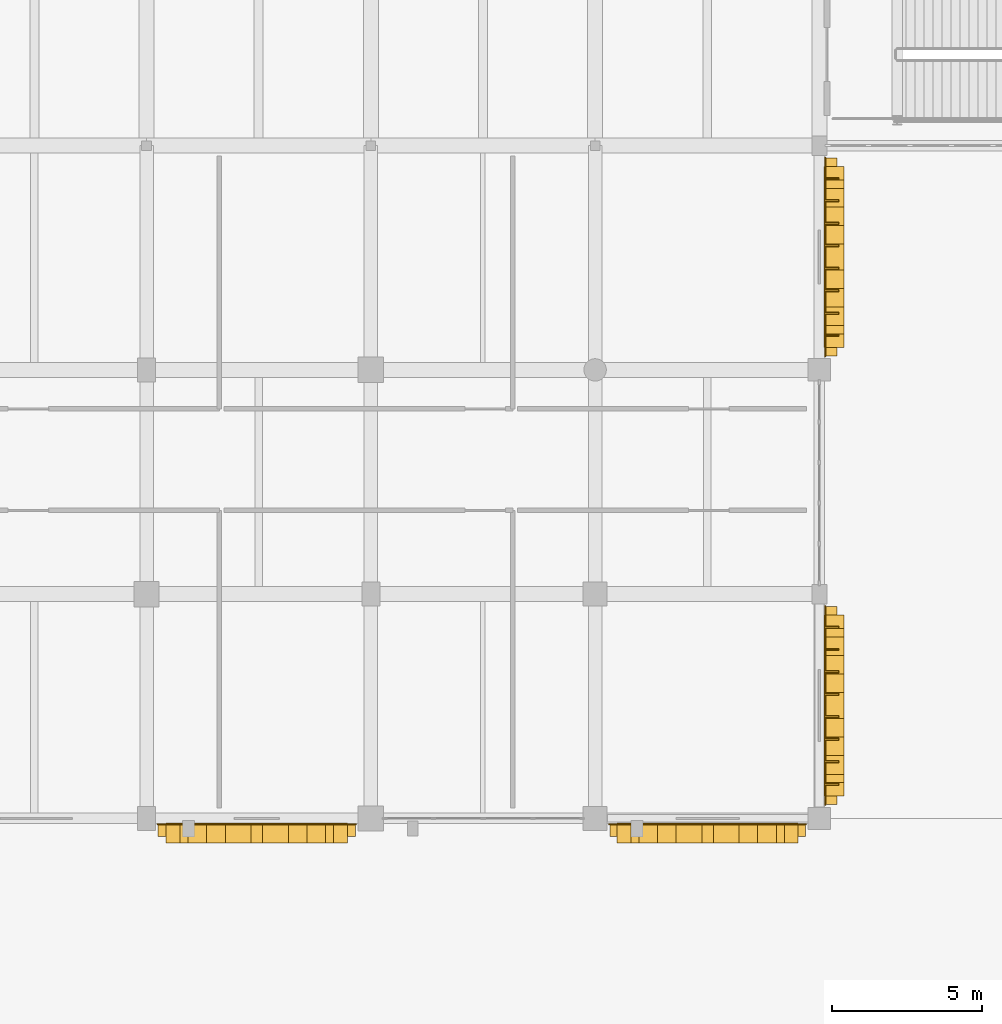
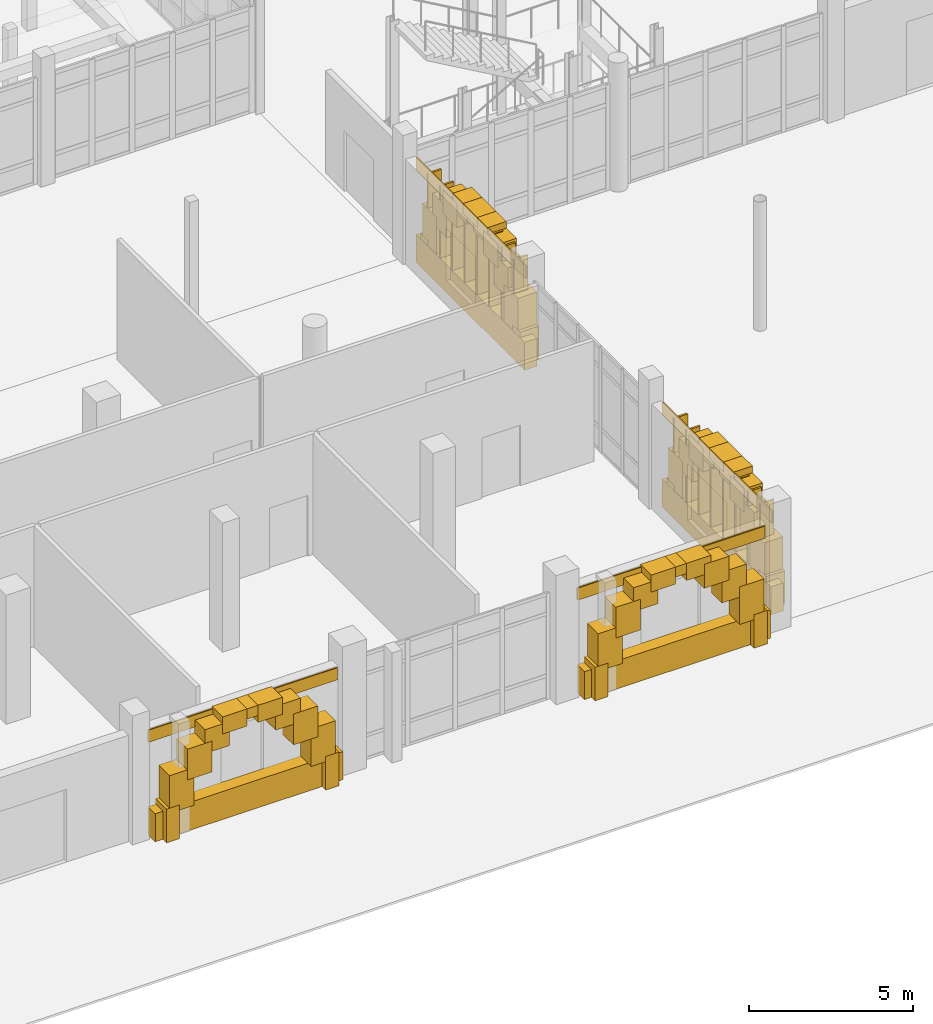
# One storey, part 102 of 125: 52 coverings, 16 shading devices.
"""IFC4 building model written with IfcOpenShell, lengths in metres."""

from ifc_helpers import new_model, si_unit, direction, frame, origin, origin_2d, place, context, subcontext, project, spatial, rectangle, extrude, material, layer, layer_set, type_object, element, save


model = new_model("IFC4")

# Units and contexts
model_context = context("Model", 3, precision=1e-05, world=origin(), true_north=direction((0.0, 1.0)))
body_context = subcontext(model_context, "Body", "Model", "MODEL_VIEW")
ifc_project = project(units=[si_unit("LENGTHUNIT", "METRE"), si_unit("AREAUNIT", "SQUARE_METRE"), si_unit("VOLUMEUNIT", "CUBIC_METRE"), si_unit("PLANEANGLEUNIT", "RADIAN"), si_unit("MASSUNIT", "GRAM", prefix="KILO")], contexts=[model_context])

# Site, building, storey
site_placement = place(None, origin())
site = spatial("IfcSite", under=ifc_project, at=site_placement, CompositionType="ELEMENT")
building_placement = place(site_placement, origin())
building = spatial("IfcBuilding", under=site, at=building_placement, Name="Dalvernix Boulevard General Hospital", CompositionType="ELEMENT")
storey_placement = place(building_placement, origin())
storey = spatial("IfcBuildingStorey", under=building, at=storey_placement, Name="L00", CompositionType="ELEMENT", Elevation=0.0)

# Coverings
ifc_material_1 = material(Name="Pressed Catalan clay brick and dressed limestone parabolic archivolt", Category="masonry")
ifc_layer_1 = layer(ifc_material_1, 0.419921875)
ifc_layer_set_1 = layer_set([ifc_layer_1], Name="Pressed Catalan clay brick and dressed limestone parabolic archivolt (COV-ARC-01)")
covering_type_1 = type_object("IfcCoveringType", Name="COV-ARC-01", PredefinedType="CLADDING", material=ifc_layer_set_1)
for number, where, z_axis, x_axis, name in (
    (1, (43.987548828125, -0.485107421875, 0.0), (0.0, 0.0, 1.0), (-1.0, 0.0, 0.0), "L00 Catalan parabolic arch impost pier S 5-0-L"),
    (2, (38.387451171875, -0.485107421875, 0.0), (0.0, 0.0, 1.0), (-1.0, 0.0, 0.0), "L00 Catalan parabolic arch impost pier S 5-0-R"),
):
    element("IfcCovering", number, at=place(storey_placement, frame(where, z_axis=z_axis, x_axis=x_axis)), inside=storey, type_object=covering_type_1, Name=name, PredefinedType="CLADDING", context=body_context, shape_type="SweptSolid", body=[
        extrude(rectangle(XDim=0.4599609375, YDim=0.659912109375, at=origin_2d()), origin(), (0.0, 0.0, 1.0), 1.25),
    ])
covering_1_placement = place(storey_placement, frame((43.676513671875, -0.485107421875, 1.059814453125), z_axis=(0.0, 0.0, 1.0), x_axis=(-1.0, 0.0, 0.0)))
element("IfcCovering", 3, at=covering_1_placement, inside=storey, type_object=covering_type_1, Name="L00 Catalan parabolic archivolt voussoir S 5-0-1", PredefinedType="CLADDING", context=body_context, shape_type="SweptSolid", body=[
    extrude(rectangle(XDim=0.8623046875, YDim=0.659912109375, at=origin_2d()), origin(), (0.0, 0.0, 1.0), 1.3994140625),
])
covering_2_placement = place(storey_placement, frame((43.05419921875, -0.485107421875, 2.07958984375), z_axis=(0.0, 0.0, 1.0), x_axis=(-1.0, 0.0, 0.0)))
element("IfcCovering", 4, at=covering_2_placement, inside=storey, type_object=covering_type_1, Name="L00 Catalan parabolic archivolt voussoir S 5-0-2", PredefinedType="CLADDING", context=body_context, shape_type="SweptSolid", body=[
    extrude(rectangle(XDim=0.8623046875, YDim=0.659912109375, at=origin_2d()), origin(), (0.0, 0.0, 1.0), 1.144287109375),
])
covering_3_placement = place(storey_placement, frame((42.431884765625, -0.485107421875, 2.84375), z_axis=(0.0, 0.0, 1.0), x_axis=(-1.0, 0.0, 0.0)))
element("IfcCovering", 5, at=covering_3_placement, inside=storey, type_object=covering_type_1, Name="L00 Catalan parabolic archivolt voussoir S 5-0-3", PredefinedType="CLADDING", context=body_context, shape_type="SweptSolid", body=[
    extrude(rectangle(XDim=0.8623046875, YDim=0.659912109375, at=origin_2d()), origin(), (0.0, 0.0, 1.0), 0.8896484375),
])
covering_4_placement = place(storey_placement, frame((41.809814453125, -0.485107421875, 3.353271484375), z_axis=(0.0, 0.0, 1.0), x_axis=(-1.0, 0.0, 0.0)))
element("IfcCovering", 6, at=covering_4_placement, inside=storey, type_object=covering_type_1, Name="L00 Catalan parabolic archivolt voussoir S 5-0-4", PredefinedType="CLADDING", context=body_context, shape_type="SweptSolid", body=[
    extrude(rectangle(XDim=0.8623046875, YDim=0.659912109375, at=origin_2d()), origin(), (0.0, 0.0, 1.0), 0.634765625),
])
covering_5_placement = place(storey_placement, frame((41.1875, -0.485107421875, 3.608154296875), z_axis=(0.0, 0.0, 1.0), x_axis=(-1.0, 0.0, 0.0)))
element("IfcCovering", 7, at=covering_5_placement, inside=storey, type_object=covering_type_1, Name="L00 Catalan parabolic archivolt voussoir S 5-0-5", PredefinedType="CLADDING", context=body_context, shape_type="SweptSolid", body=[
    extrude(rectangle(XDim=0.8623046875, YDim=0.659912109375, at=origin_2d()), origin(), (0.0, 0.0, 1.0), 0.3798828125),
])
covering_6_placement = place(storey_placement, frame((40.565185546875, -0.485107421875, 3.353271484375), z_axis=(0.0, 0.0, 1.0), x_axis=(-1.0, 0.0, 0.0)))
element("IfcCovering", 8, at=covering_6_placement, inside=storey, type_object=covering_type_1, Name="L00 Catalan parabolic archivolt voussoir S 5-0-6", PredefinedType="CLADDING", context=body_context, shape_type="SweptSolid", body=[
    extrude(rectangle(XDim=0.8623046875, YDim=0.659912109375, at=origin_2d()), origin(), (0.0, 0.0, 1.0), 0.634765625),
])
covering_7_placement = place(storey_placement, frame((39.943115234375, -0.485107421875, 2.84375), z_axis=(0.0, 0.0, 1.0), x_axis=(-1.0, 0.0, 0.0)))
element("IfcCovering", 9, at=covering_7_placement, inside=storey, type_object=covering_type_1, Name="L00 Catalan parabolic archivolt voussoir S 5-0-7", PredefinedType="CLADDING", context=body_context, shape_type="SweptSolid", body=[
    extrude(rectangle(XDim=0.8623046875, YDim=0.659912109375, at=origin_2d()), origin(), (0.0, 0.0, 1.0), 0.8896484375),
])
covering_8_placement = place(storey_placement, frame((39.32080078125, -0.485107421875, 2.07958984375), z_axis=(0.0, 0.0, 1.0), x_axis=(-1.0, 0.0, 0.0)))
element("IfcCovering", 10, at=covering_8_placement, inside=storey, type_object=covering_type_1, Name="L00 Catalan parabolic archivolt voussoir S 5-0-8", PredefinedType="CLADDING", context=body_context, shape_type="SweptSolid", body=[
    extrude(rectangle(XDim=0.8623046875, YDim=0.659912109375, at=origin_2d()), origin(), (0.0, 0.0, 1.0), 1.144287109375),
])
covering_9_placement = place(storey_placement, frame((38.698486328125, -0.485107421875, 1.059814453125), z_axis=(0.0, 0.0, 1.0), x_axis=(-1.0, 0.0, 0.0)))
element("IfcCovering", 11, at=covering_9_placement, inside=storey, type_object=covering_type_1, Name="L00 Catalan parabolic archivolt voussoir S 5-0-9", PredefinedType="CLADDING", context=body_context, shape_type="SweptSolid", body=[
    extrude(rectangle(XDim=0.8623046875, YDim=0.659912109375, at=origin_2d()), origin(), (0.0, 0.0, 1.0), 1.3994140625),
])
for number, where, z_axis, x_axis, name in (
    (12, (59.0625, -0.485107421875, 0.0), (0.0, 0.0, 1.0), (-1.0, 0.0, 0.0), "L00 Catalan parabolic arch impost pier S 7-0-L"),
    (13, (53.46240234375, -0.485107421875, 0.0), (0.0, 0.0, 1.0), (-1.0, 0.0, 0.0), "L00 Catalan parabolic arch impost pier S 7-0-R"),
):
    element("IfcCovering", number, at=place(storey_placement, frame(where, z_axis=z_axis, x_axis=x_axis)), inside=storey, type_object=covering_type_1, Name=name, PredefinedType="CLADDING", context=body_context, shape_type="SweptSolid", body=[
        extrude(rectangle(XDim=0.4599609375, YDim=0.659912109375, at=origin_2d()), origin(), (0.0, 0.0, 1.0), 1.25),
    ])
covering_10_placement = place(storey_placement, frame((58.75146484375, -0.485107421875, 1.059814453125), z_axis=(0.0, 0.0, 1.0), x_axis=(-1.0, 0.0, 0.0)))
element("IfcCovering", 14, at=covering_10_placement, inside=storey, type_object=covering_type_1, Name="L00 Catalan parabolic archivolt voussoir S 7-0-1", PredefinedType="CLADDING", context=body_context, shape_type="SweptSolid", body=[
    extrude(rectangle(XDim=0.8623046875, YDim=0.659912109375, at=origin_2d()), origin(), (0.0, 0.0, 1.0), 1.3994140625),
])
covering_11_placement = place(storey_placement, frame((58.129150390625, -0.485107421875, 2.07958984375), z_axis=(0.0, 0.0, 1.0), x_axis=(-1.0, 0.0, 0.0)))
element("IfcCovering", 15, at=covering_11_placement, inside=storey, type_object=covering_type_1, Name="L00 Catalan parabolic archivolt voussoir S 7-0-2", PredefinedType="CLADDING", context=body_context, shape_type="SweptSolid", body=[
    extrude(rectangle(XDim=0.8623046875, YDim=0.659912109375, at=origin_2d()), origin(), (0.0, 0.0, 1.0), 1.144287109375),
])
covering_12_placement = place(storey_placement, frame((57.5068359375, -0.485107421875, 2.84375), z_axis=(0.0, 0.0, 1.0), x_axis=(-1.0, 0.0, 0.0)))
element("IfcCovering", 16, at=covering_12_placement, inside=storey, type_object=covering_type_1, Name="L00 Catalan parabolic archivolt voussoir S 7-0-3", PredefinedType="CLADDING", context=body_context, shape_type="SweptSolid", body=[
    extrude(rectangle(XDim=0.8623046875, YDim=0.659912109375, at=origin_2d()), origin(), (0.0, 0.0, 1.0), 0.8896484375),
])
covering_13_placement = place(storey_placement, frame((56.884765625, -0.485107421875, 3.353271484375), z_axis=(0.0, 0.0, 1.0), x_axis=(-1.0, 0.0, 0.0)))
element("IfcCovering", 17, at=covering_13_placement, inside=storey, type_object=covering_type_1, Name="L00 Catalan parabolic archivolt voussoir S 7-0-4", PredefinedType="CLADDING", context=body_context, shape_type="SweptSolid", body=[
    extrude(rectangle(XDim=0.8623046875, YDim=0.659912109375, at=origin_2d()), origin(), (0.0, 0.0, 1.0), 0.634765625),
])
covering_14_placement = place(storey_placement, frame((56.262451171875, -0.485107421875, 3.608154296875), z_axis=(0.0, 0.0, 1.0), x_axis=(-1.0, 0.0, 0.0)))
element("IfcCovering", 18, at=covering_14_placement, inside=storey, type_object=covering_type_1, Name="L00 Catalan parabolic archivolt voussoir S 7-0-5", PredefinedType="CLADDING", context=body_context, shape_type="SweptSolid", body=[
    extrude(rectangle(XDim=0.8623046875, YDim=0.659912109375, at=origin_2d()), origin(), (0.0, 0.0, 1.0), 0.3798828125),
])
covering_15_placement = place(storey_placement, frame((55.640380859375, -0.485107421875, 3.353271484375), z_axis=(0.0, 0.0, 1.0), x_axis=(-1.0, 0.0, 0.0)))
element("IfcCovering", 19, at=covering_15_placement, inside=storey, type_object=covering_type_1, Name="L00 Catalan parabolic archivolt voussoir S 7-0-6", PredefinedType="CLADDING", context=body_context, shape_type="SweptSolid", body=[
    extrude(rectangle(XDim=0.8623046875, YDim=0.659912109375, at=origin_2d()), origin(), (0.0, 0.0, 1.0), 0.634765625),
])
covering_16_placement = place(storey_placement, frame((55.01806640625, -0.485107421875, 2.84375), z_axis=(0.0, 0.0, 1.0), x_axis=(-1.0, 0.0, 0.0)))
element("IfcCovering", 20, at=covering_16_placement, inside=storey, type_object=covering_type_1, Name="L00 Catalan parabolic archivolt voussoir S 7-0-7", PredefinedType="CLADDING", context=body_context, shape_type="SweptSolid", body=[
    extrude(rectangle(XDim=0.8623046875, YDim=0.659912109375, at=origin_2d()), origin(), (0.0, 0.0, 1.0), 0.8896484375),
])
covering_17_placement = place(storey_placement, frame((54.395751953125, -0.485107421875, 2.07958984375), z_axis=(0.0, 0.0, 1.0), x_axis=(-1.0, 0.0, 0.0)))
element("IfcCovering", 21, at=covering_17_placement, inside=storey, type_object=covering_type_1, Name="L00 Catalan parabolic archivolt voussoir S 7-0-8", PredefinedType="CLADDING", context=body_context, shape_type="SweptSolid", body=[
    extrude(rectangle(XDim=0.8623046875, YDim=0.659912109375, at=origin_2d()), origin(), (0.0, 0.0, 1.0), 1.144287109375),
])
covering_18_placement = place(storey_placement, frame((53.773681640625, -0.485107421875, 1.059814453125), z_axis=(0.0, 0.0, 1.0), x_axis=(-1.0, 0.0, 0.0)))
element("IfcCovering", 22, at=covering_18_placement, inside=storey, type_object=covering_type_1, Name="L00 Catalan parabolic archivolt voussoir S 7-0-9", PredefinedType="CLADDING", context=body_context, shape_type="SweptSolid", body=[
    extrude(rectangle(XDim=0.8623046875, YDim=0.659912109375, at=origin_2d()), origin(), (0.0, 0.0, 1.0), 1.3994140625),
])
for number, where, z_axis, x_axis, name in (
    (23, (60.485107421875, 6.574951171875, 0.0), (0.0, 0.0, 1.0), (0.0, -1.0, 0.0), "L00 Catalan parabolic arch impost pier E 8-0-L"),
    (24, (60.485107421875, 0.97509765625, 0.0), (0.0, 0.0, 1.0), (0.0, -1.0, 0.0), "L00 Catalan parabolic arch impost pier E 8-0-R"),
):
    element("IfcCovering", number, at=place(storey_placement, frame(where, z_axis=z_axis, x_axis=x_axis)), inside=storey, type_object=covering_type_1, Name=name, PredefinedType="CLADDING", context=body_context, shape_type="SweptSolid", body=[
        extrude(rectangle(XDim=0.4599609375, YDim=0.659912109375, at=origin_2d()), origin(), (0.0, 0.0, 1.0), 1.25),
    ])
covering_19_placement = place(storey_placement, frame((60.485107421875, 6.263916015625, 1.06005859375), z_axis=(0.0, 0.0, 1.0), x_axis=(0.0, -1.0, 0.0)))
element("IfcCovering", 25, at=covering_19_placement, inside=storey, type_object=covering_type_1, Name="L00 Catalan parabolic archivolt voussoir E 8-0-1", PredefinedType="CLADDING", context=body_context, shape_type="SweptSolid", body=[
    extrude(rectangle(XDim=0.8623046875, YDim=0.659912109375, at=origin_2d()), origin(), (0.0, 0.0, 1.0), 1.37939453125),
])
covering_20_placement = place(storey_placement, frame((60.485107421875, 5.6416015625, 2.0595703125), z_axis=(0.0, 0.0, 1.0), x_axis=(0.0, -1.0, 0.0)))
element("IfcCovering", 26, at=covering_20_placement, inside=storey, type_object=covering_type_1, Name="L00 Catalan parabolic archivolt voussoir E 8-0-2", PredefinedType="CLADDING", context=body_context, shape_type="SweptSolid", body=[
    extrude(rectangle(XDim=0.8623046875, YDim=0.659912109375, at=origin_2d()), origin(), (0.0, 0.0, 1.0), 1.129638671875),
])
covering_21_placement = place(storey_placement, frame((60.485107421875, 5.019287109375, 2.80908203125), z_axis=(0.0, 0.0, 1.0), x_axis=(0.0, -1.0, 0.0)))
element("IfcCovering", 27, at=covering_21_placement, inside=storey, type_object=covering_type_1, Name="L00 Catalan parabolic archivolt voussoir E 8-0-3", PredefinedType="CLADDING", context=body_context, shape_type="SweptSolid", body=[
    extrude(rectangle(XDim=0.8623046875, YDim=0.659912109375, at=origin_2d()), origin(), (0.0, 0.0, 1.0), 0.8798828125),
])
covering_22_placement = place(storey_placement, frame((60.485107421875, 4.397216796875, 3.308837890625), z_axis=(0.0, 0.0, 1.0), x_axis=(0.0, -1.0, 0.0)))
element("IfcCovering", 28, at=covering_22_placement, inside=storey, type_object=covering_type_1, Name="L00 Catalan parabolic archivolt voussoir E 8-0-4", PredefinedType="CLADDING", context=body_context, shape_type="SweptSolid", body=[
    extrude(rectangle(XDim=0.8623046875, YDim=0.659912109375, at=origin_2d()), origin(), (0.0, 0.0, 1.0), 0.6298828125),
])
covering_23_placement = place(storey_placement, frame((60.485107421875, 3.77490234375, 3.558837890625), z_axis=(0.0, 0.0, 1.0), x_axis=(0.0, -1.0, 0.0)))
element("IfcCovering", 29, at=covering_23_placement, inside=storey, type_object=covering_type_1, Name="L00 Catalan parabolic archivolt voussoir E 8-0-5", PredefinedType="CLADDING", context=body_context, shape_type="SweptSolid", body=[
    extrude(rectangle(XDim=0.8623046875, YDim=0.659912109375, at=origin_2d()), origin(), (0.0, 0.0, 1.0), 0.3798828125),
])
covering_24_placement = place(storey_placement, frame((60.485107421875, 3.15283203125, 3.308837890625), z_axis=(0.0, 0.0, 1.0), x_axis=(0.0, -1.0, 0.0)))
element("IfcCovering", 30, at=covering_24_placement, inside=storey, type_object=covering_type_1, Name="L00 Catalan parabolic archivolt voussoir E 8-0-6", PredefinedType="CLADDING", context=body_context, shape_type="SweptSolid", body=[
    extrude(rectangle(XDim=0.8623046875, YDim=0.659912109375, at=origin_2d()), origin(), (0.0, 0.0, 1.0), 0.6298828125),
])
covering_25_placement = place(storey_placement, frame((60.485107421875, 2.530517578125, 2.80908203125), z_axis=(0.0, 0.0, 1.0), x_axis=(0.0, -1.0, 0.0)))
element("IfcCovering", 31, at=covering_25_placement, inside=storey, type_object=covering_type_1, Name="L00 Catalan parabolic archivolt voussoir E 8-0-7", PredefinedType="CLADDING", context=body_context, shape_type="SweptSolid", body=[
    extrude(rectangle(XDim=0.8623046875, YDim=0.659912109375, at=origin_2d()), origin(), (0.0, 0.0, 1.0), 0.8798828125),
])
covering_26_placement = place(storey_placement, frame((60.485107421875, 1.908203125, 2.0595703125), z_axis=(0.0, 0.0, 1.0), x_axis=(0.0, -1.0, 0.0)))
element("IfcCovering", 32, at=covering_26_placement, inside=storey, type_object=covering_type_1, Name="L00 Catalan parabolic archivolt voussoir E 8-0-8", PredefinedType="CLADDING", context=body_context, shape_type="SweptSolid", body=[
    extrude(rectangle(XDim=0.8623046875, YDim=0.659912109375, at=origin_2d()), origin(), (0.0, 0.0, 1.0), 1.129638671875),
])
covering_27_placement = place(storey_placement, frame((60.485107421875, 1.2861328125, 1.06005859375), z_axis=(0.0, 0.0, 1.0), x_axis=(0.0, -1.0, 0.0)))
element("IfcCovering", 33, at=covering_27_placement, inside=storey, type_object=covering_type_1, Name="L00 Catalan parabolic archivolt voussoir E 8-0-9", PredefinedType="CLADDING", context=body_context, shape_type="SweptSolid", body=[
    extrude(rectangle(XDim=0.8623046875, YDim=0.659912109375, at=origin_2d()), origin(), (0.0, 0.0, 1.0), 1.37939453125),
])
for number, where, z_axis, x_axis, name in (
    (34, (60.485107421875, 21.574951171875, 0.0), (0.0, 0.0, 1.0), (0.0, -1.0, 0.0), "L00 Catalan parabolic arch impost pier E 8-2-L"),
    (35, (60.485107421875, 15.97509765625, 0.0), (0.0, 0.0, 1.0), (0.0, -1.0, 0.0), "L00 Catalan parabolic arch impost pier E 8-2-R"),
):
    element("IfcCovering", number, at=place(storey_placement, frame(where, z_axis=z_axis, x_axis=x_axis)), inside=storey, type_object=covering_type_1, Name=name, PredefinedType="CLADDING", context=body_context, shape_type="SweptSolid", body=[
        extrude(rectangle(XDim=0.4599609375, YDim=0.659912109375, at=origin_2d()), origin(), (0.0, 0.0, 1.0), 1.25),
    ])
covering_28_placement = place(storey_placement, frame((60.485107421875, 21.263916015625, 1.06005859375), z_axis=(0.0, 0.0, 1.0), x_axis=(0.0, -1.0, 0.0)))
element("IfcCovering", 36, at=covering_28_placement, inside=storey, type_object=covering_type_1, Name="L00 Catalan parabolic archivolt voussoir E 8-2-1", PredefinedType="CLADDING", context=body_context, shape_type="SweptSolid", body=[
    extrude(rectangle(XDim=0.8623046875, YDim=0.659912109375, at=origin_2d()), origin(), (0.0, 0.0, 1.0), 1.37939453125),
])
covering_29_placement = place(storey_placement, frame((60.485107421875, 20.6416015625, 2.0595703125), z_axis=(0.0, 0.0, 1.0), x_axis=(0.0, -1.0, 0.0)))
element("IfcCovering", 37, at=covering_29_placement, inside=storey, type_object=covering_type_1, Name="L00 Catalan parabolic archivolt voussoir E 8-2-2", PredefinedType="CLADDING", context=body_context, shape_type="SweptSolid", body=[
    extrude(rectangle(XDim=0.8623046875, YDim=0.659912109375, at=origin_2d()), origin(), (0.0, 0.0, 1.0), 1.129638671875),
])
covering_30_placement = place(storey_placement, frame((60.485107421875, 20.019287109375, 2.80908203125), z_axis=(0.0, 0.0, 1.0), x_axis=(0.0, -1.0, 0.0)))
element("IfcCovering", 38, at=covering_30_placement, inside=storey, type_object=covering_type_1, Name="L00 Catalan parabolic archivolt voussoir E 8-2-3", PredefinedType="CLADDING", context=body_context, shape_type="SweptSolid", body=[
    extrude(rectangle(XDim=0.8623046875, YDim=0.659912109375, at=origin_2d()), origin(), (0.0, 0.0, 1.0), 0.8798828125),
])
covering_31_placement = place(storey_placement, frame((60.485107421875, 19.397216796875, 3.308837890625), z_axis=(0.0, 0.0, 1.0), x_axis=(0.0, -1.0, 0.0)))
element("IfcCovering", 39, at=covering_31_placement, inside=storey, type_object=covering_type_1, Name="L00 Catalan parabolic archivolt voussoir E 8-2-4", PredefinedType="CLADDING", context=body_context, shape_type="SweptSolid", body=[
    extrude(rectangle(XDim=0.8623046875, YDim=0.659912109375, at=origin_2d()), origin(), (0.0, 0.0, 1.0), 0.6298828125),
])
covering_32_placement = place(storey_placement, frame((60.485107421875, 18.77490234375, 3.558837890625), z_axis=(0.0, 0.0, 1.0), x_axis=(0.0, -1.0, 0.0)))
element("IfcCovering", 40, at=covering_32_placement, inside=storey, type_object=covering_type_1, Name="L00 Catalan parabolic archivolt voussoir E 8-2-5", PredefinedType="CLADDING", context=body_context, shape_type="SweptSolid", body=[
    extrude(rectangle(XDim=0.8623046875, YDim=0.659912109375, at=origin_2d()), origin(), (0.0, 0.0, 1.0), 0.3798828125),
])
covering_33_placement = place(storey_placement, frame((60.485107421875, 18.15283203125, 3.308837890625), z_axis=(0.0, 0.0, 1.0), x_axis=(0.0, -1.0, 0.0)))
element("IfcCovering", 41, at=covering_33_placement, inside=storey, type_object=covering_type_1, Name="L00 Catalan parabolic archivolt voussoir E 8-2-6", PredefinedType="CLADDING", context=body_context, shape_type="SweptSolid", body=[
    extrude(rectangle(XDim=0.8623046875, YDim=0.659912109375, at=origin_2d()), origin(), (0.0, 0.0, 1.0), 0.6298828125),
])
covering_34_placement = place(storey_placement, frame((60.485107421875, 17.530517578125, 2.80908203125), z_axis=(0.0, 0.0, 1.0), x_axis=(0.0, -1.0, 0.0)))
element("IfcCovering", 42, at=covering_34_placement, inside=storey, type_object=covering_type_1, Name="L00 Catalan parabolic archivolt voussoir E 8-2-7", PredefinedType="CLADDING", context=body_context, shape_type="SweptSolid", body=[
    extrude(rectangle(XDim=0.8623046875, YDim=0.659912109375, at=origin_2d()), origin(), (0.0, 0.0, 1.0), 0.8798828125),
])
covering_35_placement = place(storey_placement, frame((60.485107421875, 16.908203125, 2.0595703125), z_axis=(0.0, 0.0, 1.0), x_axis=(0.0, -1.0, 0.0)))
element("IfcCovering", 43, at=covering_35_placement, inside=storey, type_object=covering_type_1, Name="L00 Catalan parabolic archivolt voussoir E 8-2-8", PredefinedType="CLADDING", context=body_context, shape_type="SweptSolid", body=[
    extrude(rectangle(XDim=0.8623046875, YDim=0.659912109375, at=origin_2d()), origin(), (0.0, 0.0, 1.0), 1.129638671875),
])
covering_36_placement = place(storey_placement, frame((60.485107421875, 16.2861328125, 1.06005859375), z_axis=(0.0, 0.0, 1.0), x_axis=(0.0, -1.0, 0.0)))
element("IfcCovering", 44, at=covering_36_placement, inside=storey, type_object=covering_type_1, Name="L00 Catalan parabolic archivolt voussoir E 8-2-9", PredefinedType="CLADDING", context=body_context, shape_type="SweptSolid", body=[
    extrude(rectangle(XDim=0.8623046875, YDim=0.659912109375, at=origin_2d()), origin(), (0.0, 0.0, 1.0), 1.37939453125),
])
ifc_material_2 = material(Name="Polychrome Catalan glazed ceramic spandrel tile panel")
ifc_layer_2 = layer(ifc_material_2, 0.044921875)
ifc_layer_set_2 = layer_set([ifc_layer_2], Name="Polychrome Catalan glazed ceramic spandrel tile panel (COV-CLD-01)")
covering_type_2 = type_object("IfcCoveringType", Name="COV-CLD-01", PredefinedType="CLADDING", material=ifc_layer_set_2)
covering_37_placement = place(storey_placement, frame((41.1875, -0.195068359375, 3.47509765625), z_axis=(0.0, 0.0, 1.0), x_axis=(-1.0, 0.0, 0.0)))
element("IfcCovering", 45, at=covering_37_placement, inside=storey, type_object=covering_type_2, Name="L00 polychrome ceramic spandrel S 5-0", PredefinedType="CLADDING", context=body_context, shape_type="SweptSolid", body=[
    extrude(rectangle(XDim=6.655029296875, YDim=0.044921875, at=origin_2d()), origin(), (0.0, 0.0, 1.0), 0.449951171875),
])
covering_38_placement = place(storey_placement, frame((56.262451171875, -0.195068359375, 3.47509765625), z_axis=(0.0, 0.0, 1.0), x_axis=(-1.0, 0.0, 0.0)))
element("IfcCovering", 46, at=covering_38_placement, inside=storey, type_object=covering_type_2, Name="L00 polychrome ceramic spandrel S 7-0", PredefinedType="CLADDING", context=body_context, shape_type="SweptSolid", body=[
    extrude(rectangle(XDim=6.60498046875, YDim=0.044921875, at=origin_2d()), origin(), (0.0, 0.0, 1.0), 0.449951171875),
])
for number, where, z_axis, x_axis, name in (
    (47, (60.195068359375, 3.77490234375, 3.4248046875), (0.0, 0.0, 1.0), (0.0, -1.0, 0.0), "L00 polychrome ceramic spandrel E 8-0"),
    (48, (60.195068359375, 18.77490234375, 3.4248046875), (0.0, 0.0, 1.0), (0.0, -1.0, 0.0), "L00 polychrome ceramic spandrel E 8-2"),
):
    element("IfcCovering", number, at=place(storey_placement, frame(where, z_axis=z_axis, x_axis=x_axis)), inside=storey, type_object=covering_type_2, Name=name, PredefinedType="CLADDING", context=body_context, shape_type="SweptSolid", body=[
        extrude(rectangle(XDim=6.679931640625, YDim=0.044921875, at=origin_2d()), origin(), (0.0, 0.0, 1.0), 0.449951171875),
    ])
ifc_material_3 = material(Name="Dressed ochre limestone classical plinth, stringcourse and corbelled cornice", Category="masonry")
ifc_layer_3 = layer(ifc_material_3, 0.449951171875)
ifc_layer_set_3 = layer_set([ifc_layer_3], Name="Dressed ochre limestone classical plinth, stringcourse and corbelled cornice (COV-CRN-01)")
covering_type_3 = type_object("IfcCoveringType", Name="COV-CRN-01", PredefinedType="CLADDING", material=ifc_layer_set_3)
covering_39_placement = place(storey_placement, frame((41.1875, -0.375, 0.0), z_axis=(0.0, 0.0, 1.0), x_axis=(-1.0, 0.0, 0.0)))
element("IfcCovering", 49, at=covering_39_placement, inside=storey, type_object=covering_type_3, Name="L00 rusticated limestone classical plinth S 5-0", PredefinedType="CLADDING", context=body_context, shape_type="SweptSolid", body=[
    extrude(rectangle(XDim=6.594970703125, YDim=0.43994140625, at=origin_2d()), origin(), (0.0, 0.0, 1.0), 1.0400390625),
])
covering_40_placement = place(storey_placement, frame((56.262451171875, -0.375, 0.0), z_axis=(0.0, 0.0, 1.0), x_axis=(-1.0, 0.0, 0.0)))
element("IfcCovering", 50, at=covering_40_placement, inside=storey, type_object=covering_type_3, Name="L00 rusticated limestone classical plinth S 7-0", PredefinedType="CLADDING", context=body_context, shape_type="SweptSolid", body=[
    extrude(rectangle(XDim=6.544921875, YDim=0.43994140625, at=origin_2d()), origin(), (0.0, 0.0, 1.0), 1.0400390625),
])
for number, where, z_axis, x_axis, name in (
    (51, (60.375, 3.77490234375, 0.0), (0.0, 0.0, 1.0), (0.0, -1.0, 0.0), "L00 rusticated limestone classical plinth E 8-0"),
    (52, (60.375, 18.77490234375, 0.0), (0.0, 0.0, 1.0), (0.0, -1.0, 0.0), "L00 rusticated limestone classical plinth E 8-2"),
):
    element("IfcCovering", number, at=place(storey_placement, frame(where, z_axis=z_axis, x_axis=x_axis)), inside=storey, type_object=covering_type_3, Name=name, PredefinedType="CLADDING", context=body_context, shape_type="SweptSolid", body=[
        extrude(rectangle(XDim=6.6201171875, YDim=0.43994140625, at=origin_2d()), origin(), (0.0, 0.0, 1.0), 1.0400390625),
    ])

# Shading devices
ifc_material_4 = material(Name="Preservative-treated West African iroko timber", Category="wood")
shading_device_type = type_object("IfcShadingDeviceType", Name="SHD-FIN-01", PredefinedType="USERDEFINED", material=ifc_material_4)
for number, where, z_axis, x_axis, name in (
    (53, (60.405029296875, 6.39990234375, 0.1748046875), (0.0, 0.0, 1.0), (0.0, -1.0, 0.0), "L00 iroko brise-soleil fin 1"),
    (54, (60.405029296875, 5.64990234375, 0.1748046875), (0.0, 0.0, 1.0), (0.0, -1.0, 0.0), "L00 iroko brise-soleil fin 2"),
    (55, (60.405029296875, 4.89990234375, 0.1748046875), (0.0, 0.0, 1.0), (0.0, -1.0, 0.0), "L00 iroko brise-soleil fin 3"),
    (56, (60.405029296875, 4.14990234375, 0.1748046875), (0.0, 0.0, 1.0), (0.0, -1.0, 0.0), "L00 iroko brise-soleil fin 4"),
    (57, (60.405029296875, 3.39990234375, 0.1748046875), (0.0, 0.0, 1.0), (0.0, -1.0, 0.0), "L00 iroko brise-soleil fin 5"),
    (58, (60.405029296875, 2.64990234375, 0.1748046875), (0.0, 0.0, 1.0), (0.0, -1.0, 0.0), "L00 iroko brise-soleil fin 6"),
    (59, (60.405029296875, 1.89990234375, 0.1748046875), (0.0, 0.0, 1.0), (0.0, -1.0, 0.0), "L00 iroko brise-soleil fin 7"),
    (60, (60.405029296875, 1.14990234375, 0.1748046875), (0.0, 0.0, 1.0), (0.0, -1.0, 0.0), "L00 iroko brise-soleil fin 8"),
    (61, (60.405029296875, 21.39990234375, 0.1748046875), (0.0, 0.0, 1.0), (0.0, -1.0, 0.0), "L00 iroko brise-soleil fin 1"),
    (62, (60.405029296875, 20.64990234375, 0.1748046875), (0.0, 0.0, 1.0), (0.0, -1.0, 0.0), "L00 iroko brise-soleil fin 2"),
    (63, (60.405029296875, 19.89990234375, 0.1748046875), (0.0, 0.0, 1.0), (0.0, -1.0, 0.0), "L00 iroko brise-soleil fin 3"),
    (64, (60.405029296875, 19.14990234375, 0.1748046875), (0.0, 0.0, 1.0), (0.0, -1.0, 0.0), "L00 iroko brise-soleil fin 4"),
    (65, (60.405029296875, 18.39990234375, 0.1748046875), (0.0, 0.0, 1.0), (0.0, -1.0, 0.0), "L00 iroko brise-soleil fin 5"),
    (66, (60.405029296875, 17.64990234375, 0.1748046875), (0.0, 0.0, 1.0), (0.0, -1.0, 0.0), "L00 iroko brise-soleil fin 6"),
    (67, (60.405029296875, 16.89990234375, 0.1748046875), (0.0, 0.0, 1.0), (0.0, -1.0, 0.0), "L00 iroko brise-soleil fin 7"),
    (68, (60.405029296875, 16.14990234375, 0.1748046875), (0.0, 0.0, 1.0), (0.0, -1.0, 0.0), "L00 iroko brise-soleil fin 8"),
):
    element("IfcShadingDevice", number, at=place(storey_placement, frame(where, z_axis=z_axis, x_axis=x_axis)), inside=storey, type_object=shading_device_type, Name=name, ObjectType="FIN", PredefinedType="USERDEFINED", context=body_context, shape_type="SweptSolid", body=[
        extrude(rectangle(XDim=0.06494140625, YDim=0.47998046875, at=origin_2d()), origin(), (0.0, 0.0, 1.0), 3.550048828125),
    ])

save(model, "model.ifc")
